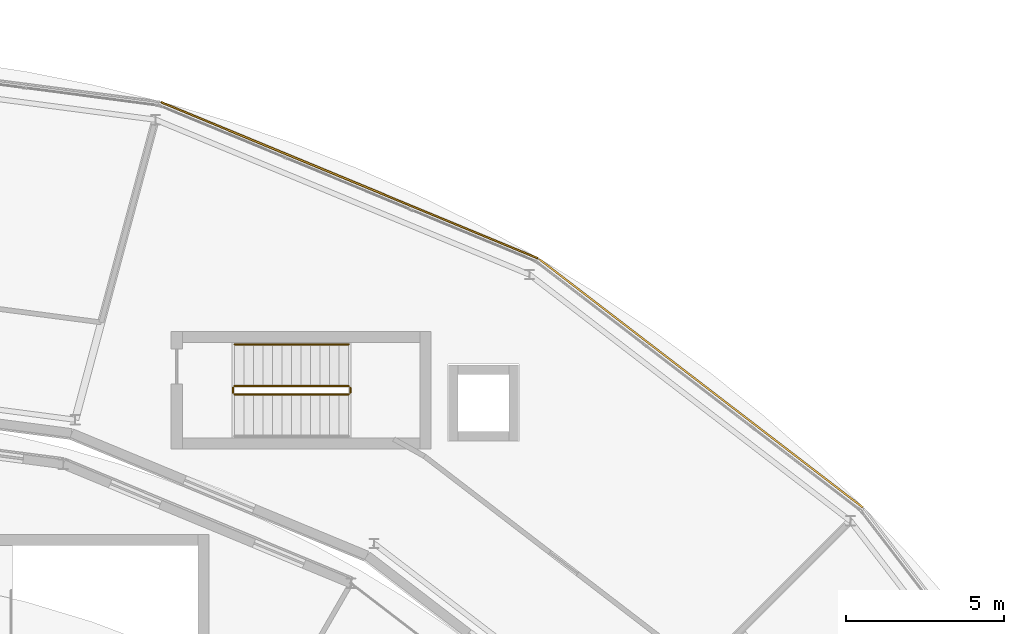
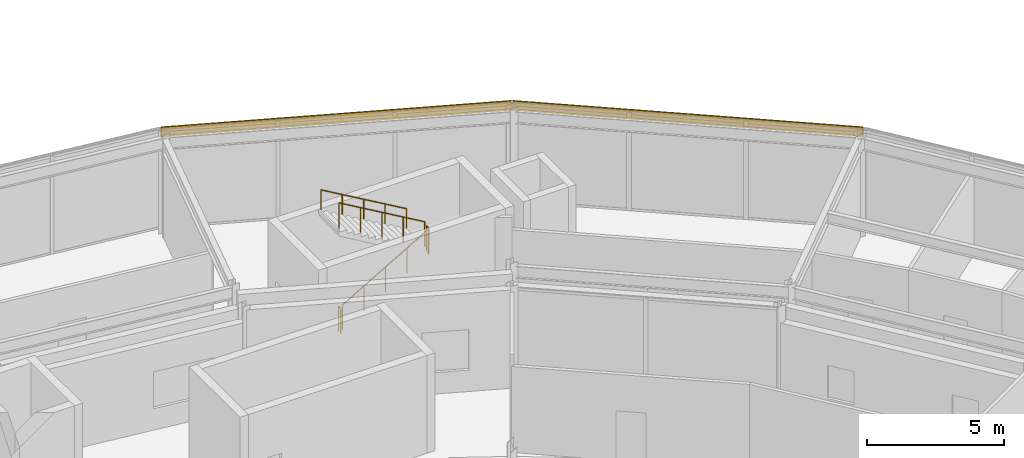
# One storey, part 111 of 116: 5 railings, 2 coverings.
"""IFC4 building model written with IfcOpenShell, lengths in metres."""

import ifcopenshell
import ifcopenshell.guid

model = None  # the IFC model being written
_history = None  # IfcOwnerHistory: only IFC2X3 demands one
_inside = {}  # id of a spatial element -> (the spatial element, [elements in it])
_under = {}  # id of a project, library or spatial element -> (it, [spatial elements below it])
_declared = {}  # id of a project -> (the project, [libraries it declares])
_typed = {}  # id of a type object -> (the type object, [elements of that type])
_made_of = {}  # id of a material, layer set ... -> (it, [elements and type objects made of it])


def new_model(schema):
    """Start an empty IFC model of exactly this schema.

    Asked for "IFC4X3", IfcOpenShell would pick the latest addendum, in which some entities
    have other attributes; the version numbers below select the first issue.
    IFC2X3 requires an IfcOwnerHistory on every rooted entity: one is made here for all.
    """
    global model, _history
    if schema == "IFC4X3":
        model = ifcopenshell.file(schema_version=(4, 3, 0, 0))
    else:
        model = ifcopenshell.file(schema=schema)
    _inside.clear()
    _under.clear()
    _declared.clear()
    _typed.clear()
    _made_of.clear()
    _history = None
    if model.schema == "IFC2X3":
        org = make("IfcOrganization", Name="unknown")
        user = make(
            "IfcPersonAndOrganization",
            ThePerson=make("IfcPerson", FamilyName="unknown"),
            TheOrganization=org,
        )
        app = make(
            "IfcApplication",
            ApplicationDeveloper=org,
            Version="unknown",
            ApplicationFullName="unknown",
            ApplicationIdentifier="unknown",
        )
        _history = make(
            "IfcOwnerHistory",
            OwningUser=user,
            OwningApplication=app,
            ChangeAction="ADDED",
            CreationDate=0,
        )
    return model


def make(cls, **values):
    """One entity of the class cls with the attributes given. An attribute that is None is left unset."""
    return model.create_entity(
        cls, **{name: value for name, value in values.items() if value is not None}
    )


def rooted(cls, **values):
    """An entity with a GlobalId (a new one), such as an element, a storey or a relation."""
    return make(cls, GlobalId=ifcopenshell.guid.new(), OwnerHistory=_history, **values)


def si_unit(unit_type, name, prefix=None):
    """IfcSIUnit, for example si_unit("LENGTHUNIT", "METRE", prefix="MILLI")."""
    return make("IfcSIUnit", UnitType=unit_type, Prefix=prefix, Name=name)


def assignment(units):
    """IfcUnitAssignment: the units of a project."""
    return None if units is None else make("IfcUnitAssignment", Units=units)


def point(xyz):
    """IfcCartesianPoint."""
    return None if xyz is None else make("IfcCartesianPoint", Coordinates=xyz)


def direction(xyz):
    """IfcDirection."""
    return None if xyz is None else make("IfcDirection", DirectionRatios=xyz)


def frame(location, z_axis=None, x_axis=None):
    """IfcAxis2Placement3D, a coordinate frame: its origin and axes. An axis left out is left unset."""
    return make(
        "IfcAxis2Placement3D",
        Location=point(location),
        Axis=direction(z_axis),
        RefDirection=direction(x_axis),
    )


def frame_2d(location, x_axis=None):
    """IfcAxis2Placement2D, a coordinate frame in the plane: its origin and x axis."""
    return make(
        "IfcAxis2Placement2D", Location=point(location), RefDirection=direction(x_axis)
    )


def origin():
    """The frame at (0, 0, 0) with its axes left unset."""
    return frame((0.0, 0.0, 0.0))


def origin_2d():
    """The frame at (0, 0) in the plane with its x axis left unset."""
    return frame_2d((0.0, 0.0))


def place(relative_to, where):
    """IfcLocalPlacement: puts the frame where relative to a parent placement (None: the world)."""
    return make(
        "IfcLocalPlacement", PlacementRelTo=relative_to, RelativePlacement=where
    )


def context(
    kind, dimensions, precision=None, world=None, true_north=None, identifier=None
):
    """IfcGeometricRepresentationContext, for example the 3D "Model" context."""
    return make(
        "IfcGeometricRepresentationContext",
        ContextIdentifier=identifier,
        ContextType=kind,
        CoordinateSpaceDimension=dimensions,
        Precision=precision,
        WorldCoordinateSystem=world,
        TrueNorth=true_north,
    )


def subcontext(parent, identifier, kind, view, scale=None):
    """IfcGeometricRepresentationSubContext, for example "Body" below "Model"."""
    return make(
        "IfcGeometricRepresentationSubContext",
        ContextIdentifier=identifier,
        ContextType=kind,
        ParentContext=parent,
        TargetScale=scale,
        TargetView=view,
    )


def project(units=None, contexts=None):
    """IfcProject with its units and contexts."""
    return rooted(
        "IfcProject",
        Name="project",
        RepresentationContexts=contexts,
        UnitsInContext=assignment(units),
    )


def spatial(cls, under=None, at=None, **own):
    """A site, building, storey or space (cls), placed at a placement, below another one or the project."""
    s = rooted(cls, ObjectPlacement=at, **own)
    if under is not None:
        _under.setdefault(under.id(), (under, []))[1].append(s)
    return s


def profile(cls, at=None, kind="AREA", **sizes):
    """A parametric profile (cls). Its sizes go by their IFC names, for example OverallWidth=200.0."""
    return make(cls, ProfileType=kind, Position=at, **sizes)


def rectangle(**sizes):
    """IfcRectangleProfileDef."""
    return profile("IfcRectangleProfileDef", **sizes)


def circle(**sizes):
    """IfcCircleProfileDef."""
    return profile("IfcCircleProfileDef", **sizes)


def extrude(swept, where, along, depth):
    """IfcExtrudedAreaSolid: the profile swept, set in the frame where, extruded along a direction by depth."""
    return make(
        "IfcExtrudedAreaSolid",
        SweptArea=swept,
        Position=where,
        ExtrudedDirection=direction(along),
        Depth=depth,
    )


def shape(context_of_items, identifier, shape_type, items):
    """IfcShapeRepresentation: the items that make up one representation, for example the "Body"."""
    return make(
        "IfcShapeRepresentation",
        ContextOfItems=context_of_items,
        RepresentationIdentifier=identifier,
        RepresentationType=shape_type,
        Items=items,
    )


def material(Name=None, Category=None):
    """IfcMaterial."""
    return make("IfcMaterial", Name=Name, Category=Category)


def layer(
    of_material, thickness, ventilated=None, Name=None, Category=None, Priority=None
):
    """IfcMaterialLayer: one layer of a wall or slab, of a material (None: an air gap)."""
    return make(
        "IfcMaterialLayer",
        Material=of_material,
        LayerThickness=thickness,
        IsVentilated=ventilated,
        Name=Name,
        Category=Category,
        Priority=Priority,
    )


def layer_set(layers, Name=None):
    """IfcMaterialLayerSet."""
    return make("IfcMaterialLayerSet", MaterialLayers=layers, LayerSetName=Name)


def made_of(thing, what):
    """Note that an element or type object is made of a material, layer set ...; save() writes the relation."""
    if what is not None:
        _made_of.setdefault(what.id(), (what, []))[1].append(thing)
    return thing


def type_object(cls, material=None, **own):
    """A type object (cls), such as IfcWallType, which elements share."""
    return made_of(rooted(cls, **own), material)


def element(
    cls,
    number,
    at=None,
    inside=None,
    cuts=None,
    type_object=None,
    material=None,
    context=None,
    identifier="Body",
    shape_type=None,
    held_by="IfcProductDefinitionShape",
    body=None,
    shapes=None,
    **own,
):
    """One element of the class cls, such as IfcWall. Its Tag is "e" and its number.

    at: its placement. inside: the storey or other place that contains it. cuts: it is an
    opening in that element (IfcRelVoidsElement). A single representation is given by context,
    identifier, shape_type and body (its items); several are given by shapes. held_by: the class
    of the entity that holds the representations. save() writes the other relations.
    """
    e = rooted(cls, Tag="e%d" % number, ObjectPlacement=at, **own)
    if body is not None:
        shapes = [shape(context, identifier, shape_type, body)]
    if shapes is not None:
        e.Representation = make(held_by, Representations=shapes)
    if inside is not None:
        _inside.setdefault(inside.id(), (inside, []))[1].append(e)
    if cuts is not None:
        rooted(
            "IfcRelVoidsElement", RelatingBuildingElement=cuts, RelatedOpeningElement=e
        )
    if type_object is not None:
        _typed.setdefault(type_object.id(), (type_object, []))[1].append(e)
    return made_of(e, material)


def aggregate(whole, parts):
    """IfcRelAggregates: a whole, such as a stair, and the parts it consists of."""
    return rooted("IfcRelAggregates", RelatingObject=whole, RelatedObjects=parts)


def save(model, path):
    """Write the relations noted so far, then the file.

    IfcRelAggregates (storeys below a building ...), IfcRelContainedInSpatialStructure (elements
    in a storey), IfcRelDefinesByType, IfcRelAssociatesMaterial and IfcRelDeclares: one each for
    every whole, place, type object, material and project.
    """
    for whole, parts in _under.values():
        aggregate(whole, parts)
    for where, things in _inside.values():
        rooted(
            "IfcRelContainedInSpatialStructure",
            RelatedElements=things,
            RelatingStructure=where,
        )
    for kind, things in _typed.values():
        rooted("IfcRelDefinesByType", RelatedObjects=things, RelatingType=kind)
    for what, things in _made_of.values():
        rooted("IfcRelAssociatesMaterial", RelatedObjects=things, RelatingMaterial=what)
    for by, libraries in _declared.values():
        rooted("IfcRelDeclares", RelatingContext=by, RelatedDefinitions=libraries)
    model.write(path)


model = new_model("IFC4")

# Units and contexts
model_context = context("Model", 3, precision=1e-05, world=origin(), true_north=direction((0.0, 1.0)))
body_context = subcontext(model_context, "Body", "Model", "MODEL_VIEW")
ifc_project = project(units=[si_unit("LENGTHUNIT", "METRE"), si_unit("AREAUNIT", "SQUARE_METRE"), si_unit("VOLUMEUNIT", "CUBIC_METRE"), si_unit("PLANEANGLEUNIT", "RADIAN"), si_unit("MASSUNIT", "GRAM", prefix="KILO")], contexts=[model_context])

# Site, building, storey
site_placement = place(None, origin())
site = spatial("IfcSite", under=ifc_project, at=site_placement, CompositionType="ELEMENT")
building_placement = place(site_placement, origin())
building = spatial("IfcBuilding", under=site, at=building_placement, Name="Almandine Court Research Institute", CompositionType="ELEMENT")
storey_placement = place(building_placement, frame((0.0, 0.0, 14.35009765625)))
storey = spatial("IfcBuildingStorey", under=building, at=storey_placement, Name="L03", CompositionType="ELEMENT", Elevation=14.35009765625)

# Coverings
ifc_material_1 = material(Name="Extruded Cream-Ochre Seismic Terracotta Spandrel", Category="masonry")
ifc_layer = layer(ifc_material_1, 0.054931640625)
ifc_layer_set = layer_set([ifc_layer], Name="Extruded Cream-Ochre Seismic Terracotta Spandrel")
covering_type = type_object("IfcCoveringType", Name="Cov-CLAD-TERR", PredefinedType="CLADDING", material=ifc_layer_set)
for number, where, z_axis, x_axis, name in (
    (1, (116.864990234375, 94.919921875, 3.97998046875), (0.0, 0.0, 1.0), (0.793353340291, -0.608761429009, 0.0), "L03 Drum Stacked Terracotta Ring Band 03"),
    (2, (105.77392578125, 101.323974609375, 3.97998046875), (0.0, 0.0, 1.0), (0.923879532511, -0.382683432365, 0.0), "L03 Drum Stacked Terracotta Ring Band 04"),
):
    element("IfcCovering", number, at=place(storey_placement, frame(where, z_axis=z_axis, x_axis=x_axis)), inside=storey, type_object=covering_type, Name=name, PredefinedType="CLADDING", context=body_context, shape_type="SweptSolid", body=[
        extrude(rectangle(XDim=12.8779296875, YDim=0.054931640625, at=origin_2d()), origin(), (0.0, 0.0, 1.0), 0.419921875),
    ])

# Railings
ifc_material_2 = material(Name="Powder-Coated Steel Stair and Atrium Balustrade", Category="steel")
railing_type_1 = type_object("IfcRailingType", Name="Rail-GUARD-INT", PredefinedType="BALUSTRADE", material=ifc_material_2)
railing_1_placement = place(storey_placement, frame((102.14990234375, 94.570068359375, 0.1748046875)))
element("IfcRailing", 3, at=railing_1_placement, inside=storey, type_object=railing_type_1, Name="L03 ST-09 stair guard 1", PredefinedType="BALUSTRADE", context=body_context, shape_type="SweptSolid", body=[
    extrude(circle(Radius=0.02392578125, at=origin_2d()), frame((0.0, 0.0, 1.09619140625), z_axis=(0.863774651768, 0.0, 0.503878309678), x_axis=(0.0, 1.0, 0.0)), (0.0, 0.0, 1.0), 4.16796875),
    extrude(circle(Radius=0.02099609375, at=origin_2d()), origin(), (0.0, 0.0, 1.0), 1.072021484375),
    extrude(circle(Radius=0.02099609375, at=origin_2d()), frame((0.89990234375, 0.0, 0.52490234375)), (0.0, 0.0, 1.0), 1.072021484375),
    extrude(circle(Radius=0.02099609375, at=origin_2d()), frame((1.800048828125, 0.0, 1.050048828125)), (0.0, 0.0, 1.0), 1.072021484375),
    extrude(circle(Radius=0.02099609375, at=origin_2d()), frame((2.7001953125, 0.0, 1.5751953125)), (0.0, 0.0, 1.0), 1.072021484375),
    extrude(circle(Radius=0.02099609375, at=origin_2d()), frame((3.60009765625, 0.0, 2.10009765625)), (0.0, 0.0, 1.0), 1.072021484375),
])
railing_2_placement = place(storey_placement, frame((105.800048828125, 94.6201171875, 2.27490234375)))
element("IfcRailing", 4, at=railing_2_placement, inside=storey, type_object=railing_type_1, Name="L03 ST-09 stair guard 2", PredefinedType="BALUSTRADE", context=body_context, shape_type="SweptSolid", body=[
    extrude(circle(Radius=0.02392578125, at=origin_2d()), frame((0.0, 0.0, 1.09619140625), z_axis=(0.0, 1.0, 0.0), x_axis=(-1.0, 0.0, 0.0)), (0.0, 0.0, 1.0), 0.159912109375),
    extrude(circle(Radius=0.02099609375, at=origin_2d()), origin(), (0.0, 0.0, 1.0), 1.072021484375),
    extrude(circle(Radius=0.02099609375, at=origin_2d()), frame((0.0, 0.159912109375, 0.0)), (0.0, 0.0, 1.0), 1.072021484375),
])
railing_3_placement = place(storey_placement, frame((105.75, 94.830078125, 2.449951171875)))
element("IfcRailing", 5, at=railing_3_placement, inside=storey, type_object=railing_type_1, Name="L03 ST-09 stair guard 3", PredefinedType="BALUSTRADE", context=body_context, shape_type="SweptSolid", body=[
    extrude(circle(Radius=0.02392578125, at=origin_2d()), frame((0.0, 0.0, 1.09619140625), z_axis=(-0.863800146258, 0.0, 0.503834603144), x_axis=(0.0, -1.0, 0.0)), (0.0, 0.0, 1.0), 4.167724609375),
    extrude(circle(Radius=0.02099609375, at=origin_2d()), origin(), (0.0, 0.0, 1.0), 1.072021484375),
    extrude(circle(Radius=0.02099609375, at=origin_2d()), frame((-0.89990234375, 0.0, 0.52490234375)), (0.0, 0.0, 1.0), 1.072021484375),
    extrude(circle(Radius=0.02099609375, at=origin_2d()), frame((-1.800048828125, 0.0, 1.0498046875)), (0.0, 0.0, 1.0), 1.072021484375),
    extrude(circle(Radius=0.02099609375, at=origin_2d()), frame((-2.7001953125, 0.0, 1.574951171875)), (0.0, 0.0, 1.0), 1.072021484375),
    extrude(circle(Radius=0.02099609375, at=origin_2d()), frame((-3.60009765625, 0.0, 2.099853515625)), (0.0, 0.0, 1.0), 1.072021484375),
])
railing_4_placement = place(storey_placement, frame((102.10009765625, 94.6201171875, 0.0)))
element("IfcRailing", 6, at=railing_4_placement, inside=storey, type_object=railing_type_1, Name="L03 ST-09 stair guard 4", PredefinedType="BALUSTRADE", context=body_context, shape_type="SweptSolid", body=[
    extrude(circle(Radius=0.02392578125, at=origin_2d()), frame((0.0, 0.0, 1.09619140625), z_axis=(0.0, 1.0, 0.0), x_axis=(-1.0, 0.0, 0.0)), (0.0, 0.0, 1.0), 0.159912109375),
    extrude(circle(Radius=0.02099609375, at=origin_2d()), origin(), (0.0, 0.0, 1.0), 1.072021484375),
    extrude(circle(Radius=0.02099609375, at=origin_2d()), frame((0.0, 0.159912109375, 0.0)), (0.0, 0.0, 1.0), 1.072021484375),
])
ifc_material_3 = material(Name="Brushed Stainless Steel Wall Handrail", Category="steel")
railing_type_2 = type_object("IfcRailingType", Name="Rail-HAND-INT", PredefinedType="HANDRAIL", material=ifc_material_3)
railing_5_placement = place(storey_placement, frame((105.75, 96.14990234375, 2.449951171875)))
element("IfcRailing", 7, at=railing_5_placement, inside=storey, type_object=railing_type_2, Name="L03 ST-09 stair handrail 2", PredefinedType="HANDRAIL", context=body_context, shape_type="SweptSolid", body=[
    extrude(circle(Radius=0.02392578125, at=origin_2d()), frame((0.0, 0.0, 0.8759765625), z_axis=(-0.863800146258, 0.0, 0.503834603144), x_axis=(0.0, -1.0, 0.0)), (0.0, 0.0, 1.0), 4.167724609375),
    extrude(circle(Radius=0.02099609375, at=origin_2d()), origin(), (0.0, 0.0, 1.0), 0.851806640625),
    extrude(circle(Radius=0.02099609375, at=origin_2d()), frame((-0.89990234375, 0.0, 0.52490234375)), (0.0, 0.0, 1.0), 0.851806640625),
    extrude(circle(Radius=0.02099609375, at=origin_2d()), frame((-1.800048828125, 0.0, 1.0498046875)), (0.0, 0.0, 1.0), 0.851806640625),
    extrude(circle(Radius=0.02099609375, at=origin_2d()), frame((-2.7001953125, 0.0, 1.574951171875)), (0.0, 0.0, 1.0), 0.851806640625),
    extrude(circle(Radius=0.02099609375, at=origin_2d()), frame((-3.60009765625, 0.0, 2.099853515625)), (0.0, 0.0, 1.0), 0.851806640625),
])

save(model, "model.ifc")
